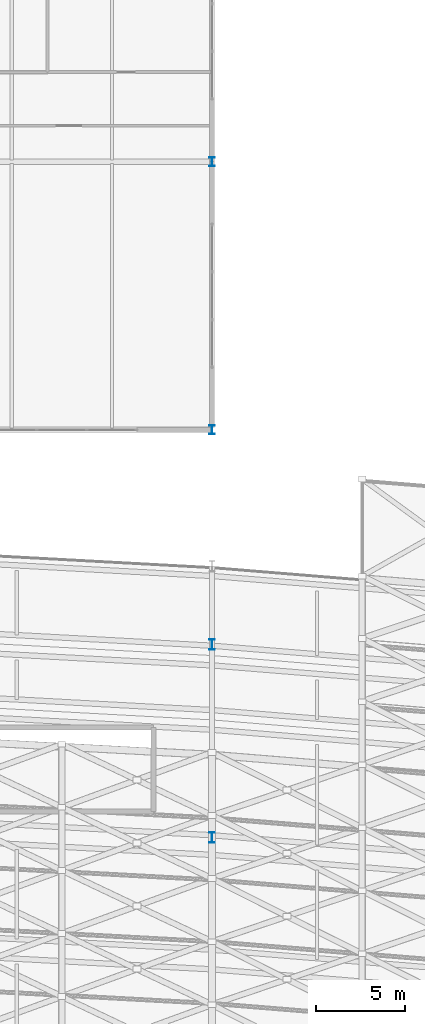
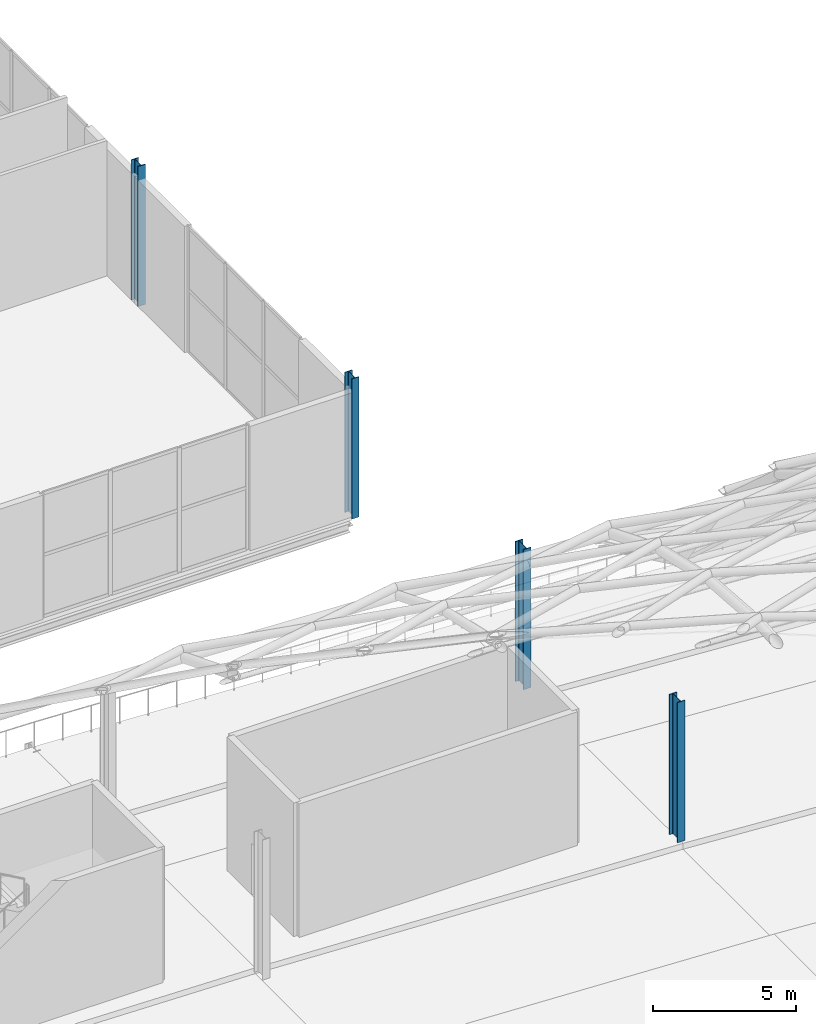
# One storey, part 8 of 100: 4 columns.
"""IFC4 building model written with IfcOpenShell, lengths in metres."""

from ifc_helpers import new_model, si_unit, direction, frame, origin, origin_2d, place, context, subcontext, project, spatial, i_section, extrude, material, material_profile, profile_set, type_object, element, save


model = new_model("IFC4")

# Units and contexts
model_context = context("Model", 3, precision=1e-05, world=origin(), true_north=direction((0.0, 1.0)))
body_context = subcontext(model_context, "Body", "Model", "MODEL_VIEW")
ifc_project = project(units=[si_unit("LENGTHUNIT", "METRE"), si_unit("AREAUNIT", "SQUARE_METRE"), si_unit("VOLUMEUNIT", "CUBIC_METRE"), si_unit("PLANEANGLEUNIT", "RADIAN"), si_unit("MASSUNIT", "GRAM", prefix="KILO")], contexts=[model_context])

# Site, building, storey
site_placement = place(None, origin())
site = spatial("IfcSite", under=ifc_project, at=site_placement, CompositionType="ELEMENT")
building_placement = place(site_placement, origin())
building = spatial("IfcBuilding", under=site, at=building_placement, Name="Kimbaza Rail Terminus", CompositionType="ELEMENT")
storey_placement = place(building_placement, frame((0.0, 0.0, 10.800048828125)))
storey = spatial("IfcBuildingStorey", under=building, at=storey_placement, Name="L02", CompositionType="ELEMENT", Elevation=10.800048828125)

# Columns
ifc_material_1 = material(Name="Steel S355", Category="steel")
ifc_material_profile_1 = material_profile(ifc_material_1, i_section(OverallWidth=0.300048828125, OverallDepth=0.5, WebThickness=0.014404296875, FlangeThickness=0.028076171875, FilletRadius=0.027099609375, at=origin_2d()), Name="HEB 500")
ifc_profile_set_1 = profile_set([ifc_material_profile_1], Name="Steel S355")
column_type_1 = type_object("IfcColumnType", Name="STR-COL-HEB500", PredefinedType="COLUMN", material=ifc_profile_set_1)
for number, where, z_axis, x_axis, name in (
    (1, (156.0, 103.0, 0.0), (0.0, 0.0, 1.0), (1.0, 0.0, 0.0), "Operations Column L02 (6,0)"),
    (2, (156.0, 118.0, 0.0), (0.0, 0.0, 1.0), (1.0, 0.0, 0.0), "Operations Column L02 (6,1)"),
):
    element("IfcColumn", number, at=place(storey_placement, frame(where, z_axis=z_axis, x_axis=x_axis)), inside=storey, type_object=column_type_1, Name=name, PredefinedType="COLUMN", context=body_context, shape_type="SweptSolid", body=[
        extrude(i_section(OverallWidth=0.300048828125, OverallDepth=0.5, WebThickness=0.014404296875, FlangeThickness=0.028076171875, FilletRadius=0.027099609375, at=origin_2d()), origin(), (0.0, 0.0, 1.0), 6.0),
    ])
ifc_material_2 = material(Name="Steel S355", Category="steel")
ifc_material_profile_2 = material_profile(ifc_material_2, i_section(OverallWidth=0.300048828125, OverallDepth=0.60009765625, WebThickness=0.015380859375, FlangeThickness=0.030029296875, FilletRadius=0.027099609375, at=origin_2d()), Name="HEB 600")
ifc_profile_set_2 = profile_set([ifc_material_profile_2], Name="Steel S355")
column_type_2 = type_object("IfcColumnType", Name="STR-COL-HEB600", PredefinedType="COLUMN", material=ifc_profile_set_2)
for number, where, z_axis, x_axis, name in (
    (3, (156.0, 80.199951171875, 0.0), (0.0, 0.0, 1.0), (1.0, 0.0, 0.0), "North Transfer Pier L02 (6,0)"),
    (4, (156.0, 91.0, 0.0), (0.0, 0.0, 1.0), (1.0, 0.0, 0.0), "North Transfer Pier L02 (6,1)"),
):
    element("IfcColumn", number, at=place(storey_placement, frame(where, z_axis=z_axis, x_axis=x_axis)), inside=storey, type_object=column_type_2, Name=name, PredefinedType="COLUMN", context=body_context, shape_type="SweptSolid", body=[
        extrude(i_section(OverallWidth=0.300048828125, OverallDepth=0.60009765625, WebThickness=0.015380859375, FlangeThickness=0.030029296875, FilletRadius=0.027099609375, at=origin_2d()), origin(), (0.0, 0.0, 1.0), 6.0),
    ])

save(model, "model.ifc")
